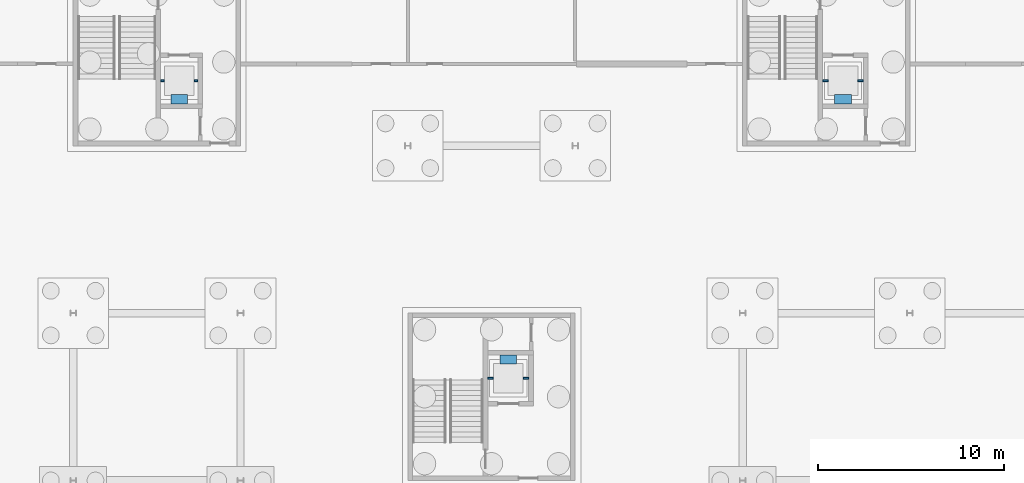
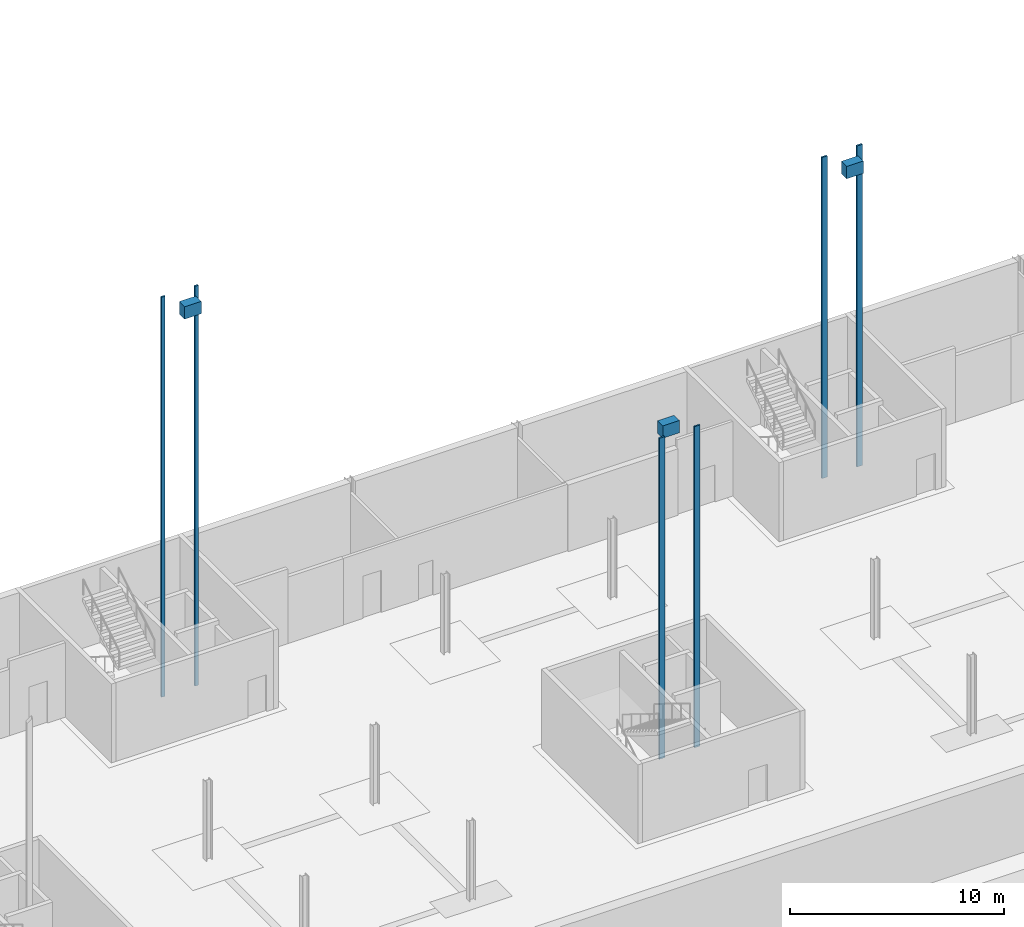
# One storey, part 36 of 41: 9 discrete accessories.
"""IFC4 building model written with IfcOpenShell, lengths in metres."""

from ifc_helpers import new_model, si_unit, direction, frame, origin, origin_2d, place, context, subcontext, project, spatial, rectangle, extrude, material, type_object, element, save


model = new_model("IFC4")

# Units and contexts
model_context = context("Model", 3, precision=1e-05, world=origin(), true_north=direction((0.0, 1.0)))
body_context = subcontext(model_context, "Body", "Model", "MODEL_VIEW")
ifc_project = project(units=[si_unit("LENGTHUNIT", "METRE"), si_unit("AREAUNIT", "SQUARE_METRE"), si_unit("VOLUMEUNIT", "CUBIC_METRE"), si_unit("PLANEANGLEUNIT", "RADIAN"), si_unit("MASSUNIT", "GRAM", prefix="KILO")], contexts=[model_context])

# Site, building, storey
site_placement = place(None, origin())
site = spatial("IfcSite", under=ifc_project, at=site_placement, CompositionType="ELEMENT")
building_placement = place(site_placement, origin())
building = spatial("IfcBuilding", under=site, at=building_placement, Name="Corbel Yard City Hall", CompositionType="ELEMENT")
storey_placement = place(building_placement, frame((0.0, 0.0, -4.5)))
storey = spatial("IfcBuildingStorey", under=building, at=storey_placement, Name="B1", CompositionType="ELEMENT", Elevation=-4.5)

# Discrete accessories
ifc_material = material(Name="Steel Grade G250", Category="steel")
discrete_accessory_type_1 = type_object("IfcDiscreteAccessoryType", Name="LM1", PredefinedType="USERDEFINED", material=ifc_material)
for number, where, z_axis, x_axis, name in (
    (1, (104.699951171875, 110.5, 22.10009765625), (0.0, 0.0, 1.0), (1.0, 0.0, 0.0), "Lift LP17 drive machine"),
    (2, (140.39990234375, 110.5, 17.60009765625), (0.0, 0.0, 1.0), (1.0, 0.0, 0.0), "Lift LP18 drive machine"),
    (3, (122.39990234375, 96.5, 17.60009765625), (0.0, 0.0, 1.0), (1.0, 0.0, 0.0), "Lift LP21 drive machine"),
):
    element("IfcDiscreteAccessory", number, at=place(storey_placement, frame(where, z_axis=z_axis, x_axis=x_axis)), inside=storey, type_object=discrete_accessory_type_1, Name=name, ObjectType="LIFT MACHINE", PredefinedType="USERDEFINED", context=body_context, shape_type="SweptSolid", body=[
        extrude(rectangle(XDim=0.89990234375, YDim=0.5, at=origin_2d()), origin(), (0.0, 0.0, 1.0), 0.699951171875),
    ])
discrete_accessory_type_2 = type_object("IfcDiscreteAccessoryType", Name="LR1", PredefinedType="USERDEFINED", material=ifc_material)
for number, where, z_axis, x_axis, name in (
    (4, (103.800048828125, 111.5, 0.0), (0.0, 0.0, 1.0), (1.0, 0.0, 0.0), "Lift LP17 guide rail 1"),
    (5, (105.60009765625, 111.5, 0.0), (0.0, 0.0, 1.0), (1.0, 0.0, 0.0), "Lift LP17 guide rail 2"),
):
    element("IfcDiscreteAccessory", number, at=place(storey_placement, frame(where, z_axis=z_axis, x_axis=x_axis)), inside=storey, type_object=discrete_accessory_type_2, Name=name, ObjectType="GUIDE RAIL", PredefinedType="USERDEFINED", context=body_context, shape_type="SweptSolid", body=[
        extrude(rectangle(XDim=0.199951171875, YDim=0.090087890625, at=origin_2d()), origin(), (0.0, 0.0, 1.0), 22.800048828125),
    ])
for number, where, z_axis, x_axis, name in (
    (6, (139.449951171875, 111.5, 0.0), (0.0, 0.0, 1.0), (1.0, 0.0, 0.0), "Lift LP18 guide rail 1"),
    (7, (141.35009765625, 111.5, 0.0), (0.0, 0.0, 1.0), (1.0, 0.0, 0.0), "Lift LP18 guide rail 2"),
    (8, (121.449951171875, 95.5, 0.0), (0.0, 0.0, 1.0), (1.0, 0.0, 0.0), "Lift LP21 guide rail 1"),
    (9, (123.35009765625, 95.5, 0.0), (0.0, 0.0, 1.0), (1.0, 0.0, 0.0), "Lift LP21 guide rail 2"),
):
    element("IfcDiscreteAccessory", number, at=place(storey_placement, frame(where, z_axis=z_axis, x_axis=x_axis)), inside=storey, type_object=discrete_accessory_type_2, Name=name, ObjectType="GUIDE RAIL", PredefinedType="USERDEFINED", context=body_context, shape_type="SweptSolid", body=[
        extrude(rectangle(XDim=0.300048828125, YDim=0.090087890625, at=origin_2d()), origin(), (0.0, 0.0, 1.0), 18.300048828125),
    ])

save(model, "model.ifc")
